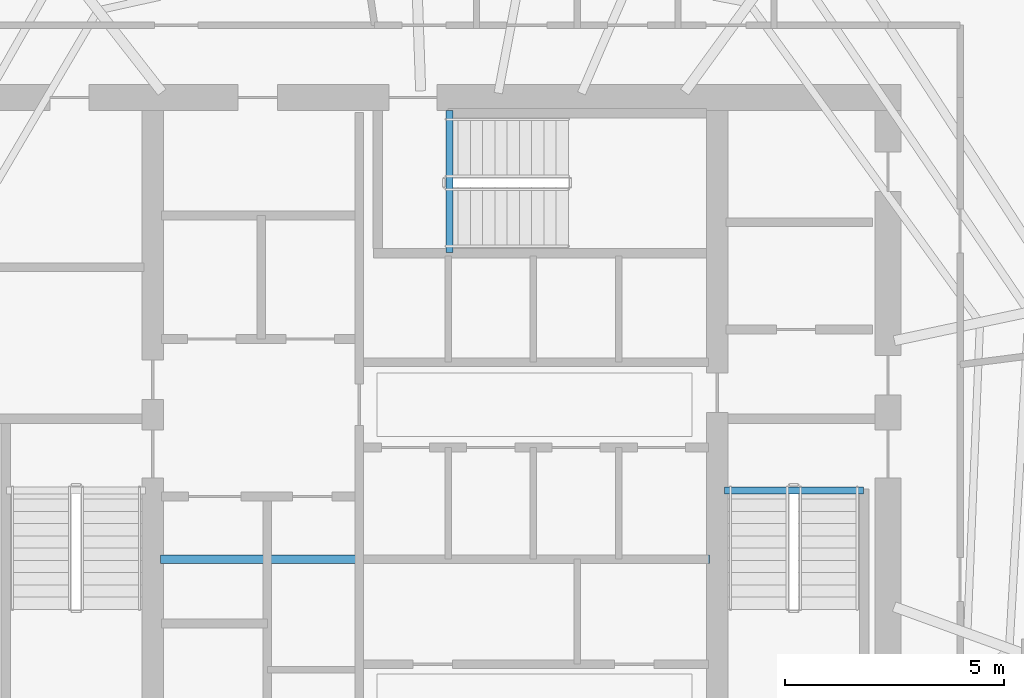
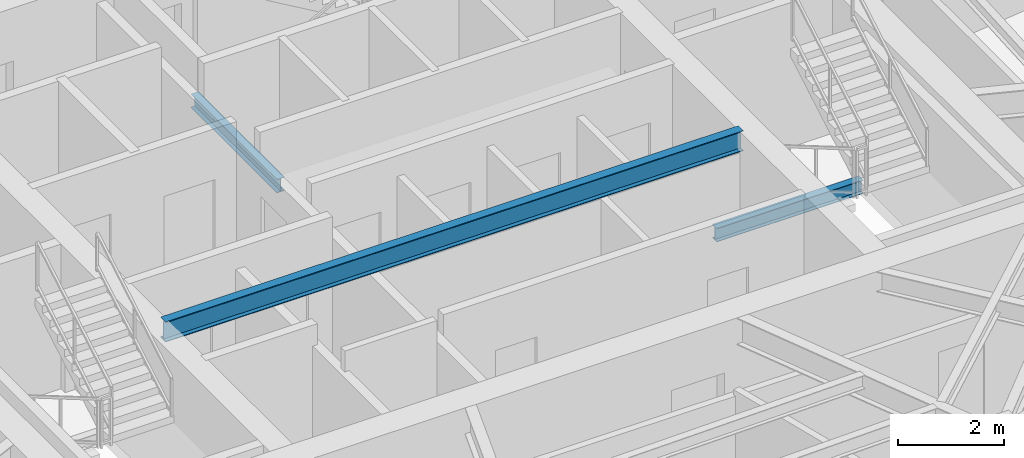
# One storey, part 8 of 22: 3 beams.
"""IFC4 building model written with IfcOpenShell, lengths in metres."""

import ifcopenshell
import ifcopenshell.guid

model = None  # the IFC model being written
_history = None  # IfcOwnerHistory: only IFC2X3 demands one
_inside = {}  # id of a spatial element -> (the spatial element, [elements in it])
_under = {}  # id of a project, library or spatial element -> (it, [spatial elements below it])
_declared = {}  # id of a project -> (the project, [libraries it declares])
_typed = {}  # id of a type object -> (the type object, [elements of that type])
_made_of = {}  # id of a material, layer set ... -> (it, [elements and type objects made of it])


def new_model(schema):
    """Start an empty IFC model of exactly this schema.

    Asked for "IFC4X3", IfcOpenShell would pick the latest addendum, in which some entities
    have other attributes; the version numbers below select the first issue.
    IFC2X3 requires an IfcOwnerHistory on every rooted entity: one is made here for all.
    """
    global model, _history
    if schema == "IFC4X3":
        model = ifcopenshell.file(schema_version=(4, 3, 0, 0))
    else:
        model = ifcopenshell.file(schema=schema)
    _inside.clear()
    _under.clear()
    _declared.clear()
    _typed.clear()
    _made_of.clear()
    _history = None
    if model.schema == "IFC2X3":
        org = make("IfcOrganization", Name="unknown")
        user = make(
            "IfcPersonAndOrganization",
            ThePerson=make("IfcPerson", FamilyName="unknown"),
            TheOrganization=org,
        )
        app = make(
            "IfcApplication",
            ApplicationDeveloper=org,
            Version="unknown",
            ApplicationFullName="unknown",
            ApplicationIdentifier="unknown",
        )
        _history = make(
            "IfcOwnerHistory",
            OwningUser=user,
            OwningApplication=app,
            ChangeAction="ADDED",
            CreationDate=0,
        )
    return model


def make(cls, **values):
    """One entity of the class cls with the attributes given. An attribute that is None is left unset."""
    return model.create_entity(
        cls, **{name: value for name, value in values.items() if value is not None}
    )


def rooted(cls, **values):
    """An entity with a GlobalId (a new one), such as an element, a storey or a relation."""
    return make(cls, GlobalId=ifcopenshell.guid.new(), OwnerHistory=_history, **values)


def si_unit(unit_type, name, prefix=None):
    """IfcSIUnit, for example si_unit("LENGTHUNIT", "METRE", prefix="MILLI")."""
    return make("IfcSIUnit", UnitType=unit_type, Prefix=prefix, Name=name)


def assignment(units):
    """IfcUnitAssignment: the units of a project."""
    return None if units is None else make("IfcUnitAssignment", Units=units)


def point(xyz):
    """IfcCartesianPoint."""
    return None if xyz is None else make("IfcCartesianPoint", Coordinates=xyz)


def direction(xyz):
    """IfcDirection."""
    return None if xyz is None else make("IfcDirection", DirectionRatios=xyz)


def frame(location, z_axis=None, x_axis=None):
    """IfcAxis2Placement3D, a coordinate frame: its origin and axes. An axis left out is left unset."""
    return make(
        "IfcAxis2Placement3D",
        Location=point(location),
        Axis=direction(z_axis),
        RefDirection=direction(x_axis),
    )


def frame_2d(location, x_axis=None):
    """IfcAxis2Placement2D, a coordinate frame in the plane: its origin and x axis."""
    return make(
        "IfcAxis2Placement2D", Location=point(location), RefDirection=direction(x_axis)
    )


def origin():
    """The frame at (0, 0, 0) with its axes left unset."""
    return frame((0.0, 0.0, 0.0))


def origin_2d():
    """The frame at (0, 0) in the plane with its x axis left unset."""
    return frame_2d((0.0, 0.0))


def place(relative_to, where):
    """IfcLocalPlacement: puts the frame where relative to a parent placement (None: the world)."""
    return make(
        "IfcLocalPlacement", PlacementRelTo=relative_to, RelativePlacement=where
    )


def context(
    kind, dimensions, precision=None, world=None, true_north=None, identifier=None
):
    """IfcGeometricRepresentationContext, for example the 3D "Model" context."""
    return make(
        "IfcGeometricRepresentationContext",
        ContextIdentifier=identifier,
        ContextType=kind,
        CoordinateSpaceDimension=dimensions,
        Precision=precision,
        WorldCoordinateSystem=world,
        TrueNorth=true_north,
    )


def subcontext(parent, identifier, kind, view, scale=None):
    """IfcGeometricRepresentationSubContext, for example "Body" below "Model"."""
    return make(
        "IfcGeometricRepresentationSubContext",
        ContextIdentifier=identifier,
        ContextType=kind,
        ParentContext=parent,
        TargetScale=scale,
        TargetView=view,
    )


def project(units=None, contexts=None):
    """IfcProject with its units and contexts."""
    return rooted(
        "IfcProject",
        Name="project",
        RepresentationContexts=contexts,
        UnitsInContext=assignment(units),
    )


def spatial(cls, under=None, at=None, **own):
    """A site, building, storey or space (cls), placed at a placement, below another one or the project."""
    s = rooted(cls, ObjectPlacement=at, **own)
    if under is not None:
        _under.setdefault(under.id(), (under, []))[1].append(s)
    return s


def profile(cls, at=None, kind="AREA", **sizes):
    """A parametric profile (cls). Its sizes go by their IFC names, for example OverallWidth=200.0."""
    return make(cls, ProfileType=kind, Position=at, **sizes)


def i_section(**sizes):
    """IfcIShapeProfileDef."""
    return profile("IfcIShapeProfileDef", **sizes)


def extrude(swept, where, along, depth):
    """IfcExtrudedAreaSolid: the profile swept, set in the frame where, extruded along a direction by depth."""
    return make(
        "IfcExtrudedAreaSolid",
        SweptArea=swept,
        Position=where,
        ExtrudedDirection=direction(along),
        Depth=depth,
    )


def shape(context_of_items, identifier, shape_type, items):
    """IfcShapeRepresentation: the items that make up one representation, for example the "Body"."""
    return make(
        "IfcShapeRepresentation",
        ContextOfItems=context_of_items,
        RepresentationIdentifier=identifier,
        RepresentationType=shape_type,
        Items=items,
    )


def material(Name=None, Category=None):
    """IfcMaterial."""
    return make("IfcMaterial", Name=Name, Category=Category)


def material_profile(
    of_material, cross_section, Name=None, Category=None, Priority=None
):
    """IfcMaterialProfile: a cross section and its material."""
    return make(
        "IfcMaterialProfile",
        Name=Name,
        Material=of_material,
        Profile=cross_section,
        Priority=Priority,
        Category=Category,
    )


def profile_set(profiles, Name=None, composite=None):
    """IfcMaterialProfileSet."""
    return make(
        "IfcMaterialProfileSet",
        Name=Name,
        MaterialProfiles=profiles,
        CompositeProfile=composite,
    )


def made_of(thing, what):
    """Note that an element or type object is made of a material, layer set ...; save() writes the relation."""
    if what is not None:
        _made_of.setdefault(what.id(), (what, []))[1].append(thing)
    return thing


def type_object(cls, material=None, **own):
    """A type object (cls), such as IfcWallType, which elements share."""
    return made_of(rooted(cls, **own), material)


def element(
    cls,
    number,
    at=None,
    inside=None,
    cuts=None,
    type_object=None,
    material=None,
    context=None,
    identifier="Body",
    shape_type=None,
    held_by="IfcProductDefinitionShape",
    body=None,
    shapes=None,
    **own,
):
    """One element of the class cls, such as IfcWall. Its Tag is "e" and its number.

    at: its placement. inside: the storey or other place that contains it. cuts: it is an
    opening in that element (IfcRelVoidsElement). A single representation is given by context,
    identifier, shape_type and body (its items); several are given by shapes. held_by: the class
    of the entity that holds the representations. save() writes the other relations.
    """
    e = rooted(cls, Tag="e%d" % number, ObjectPlacement=at, **own)
    if body is not None:
        shapes = [shape(context, identifier, shape_type, body)]
    if shapes is not None:
        e.Representation = make(held_by, Representations=shapes)
    if inside is not None:
        _inside.setdefault(inside.id(), (inside, []))[1].append(e)
    if cuts is not None:
        rooted(
            "IfcRelVoidsElement", RelatingBuildingElement=cuts, RelatedOpeningElement=e
        )
    if type_object is not None:
        _typed.setdefault(type_object.id(), (type_object, []))[1].append(e)
    return made_of(e, material)


def aggregate(whole, parts):
    """IfcRelAggregates: a whole, such as a stair, and the parts it consists of."""
    return rooted("IfcRelAggregates", RelatingObject=whole, RelatedObjects=parts)


def save(model, path):
    """Write the relations noted so far, then the file.

    IfcRelAggregates (storeys below a building ...), IfcRelContainedInSpatialStructure (elements
    in a storey), IfcRelDefinesByType, IfcRelAssociatesMaterial and IfcRelDeclares: one each for
    every whole, place, type object, material and project.
    """
    for whole, parts in _under.values():
        aggregate(whole, parts)
    for where, things in _inside.values():
        rooted(
            "IfcRelContainedInSpatialStructure",
            RelatedElements=things,
            RelatingStructure=where,
        )
    for kind, things in _typed.values():
        rooted("IfcRelDefinesByType", RelatedObjects=things, RelatingType=kind)
    for what, things in _made_of.values():
        rooted("IfcRelAssociatesMaterial", RelatedObjects=things, RelatingMaterial=what)
    for by, libraries in _declared.values():
        rooted("IfcRelDeclares", RelatingContext=by, RelatedDefinitions=libraries)
    model.write(path)


model = new_model("IFC4")

# Units and contexts
model_context = context("Model", 3, precision=1e-05, world=origin(), true_north=direction((0.0, 1.0)))
body_context = subcontext(model_context, "Body", "Model", "MODEL_VIEW")
ifc_project = project(units=[si_unit("LENGTHUNIT", "METRE"), si_unit("AREAUNIT", "SQUARE_METRE"), si_unit("VOLUMEUNIT", "CUBIC_METRE"), si_unit("PLANEANGLEUNIT", "RADIAN"), si_unit("MASSUNIT", "GRAM", prefix="KILO")], contexts=[model_context])

# Site, building, storey
site_placement = place(None, origin())
site = spatial("IfcSite", under=ifc_project, at=site_placement, CompositionType="ELEMENT")
building_placement = place(site_placement, origin())
building = spatial("IfcBuilding", under=site, at=building_placement, Name="Qarnah Convention Tower", CompositionType="ELEMENT")
storey_placement = place(building_placement, frame((0.0, 0.0, 154.5)))
storey = spatial("IfcBuildingStorey", under=building, at=storey_placement, Name="L41", CompositionType="ELEMENT", Elevation=154.5)

# Beams
ifc_material = material(Name="Structural steel S355JR", Category="steel")
ifc_material_profile_1 = material_profile(ifc_material, i_section(OverallWidth=0.19189453125, OverallDepth=0.464111328125, WebThickness=0.010986328125, FlangeThickness=0.01806640625, at=origin_2d()), Name="W460X89")
ifc_profile_set_1 = profile_set([ifc_material_profile_1], Name="Structural steel S355JR")
beam_type_1 = type_object("IfcBeamType", Name="BM-CANT-W460A", PredefinedType="BEAM", material=ifc_profile_set_1)
beam_1_placement = place(storey_placement, frame((30.97998046875, 23.64990234375, 3.087890625), z_axis=(1.0, 0.0, 0.0), x_axis=(0.0, 1.0, 0.0)))
element("IfcBeam", 1, at=beam_1_placement, inside=storey, type_object=beam_type_1, Name="L41 beam BM-L41-KC1", PredefinedType="BEAM", context=body_context, shape_type="SweptSolid", body=[
    extrude(i_section(OverallWidth=0.19189453125, OverallDepth=0.464111328125, WebThickness=0.010986328125, FlangeThickness=0.01806640625, at=origin_2d()), origin(), (0.0, 0.0, 1.0), 12.5400390625),
])
ifc_material_profile_2 = material_profile(ifc_material, i_section(OverallWidth=0.166015625, OverallDepth=0.31201171875, WebThickness=0.007080078125, FlangeThickness=0.010986328125, at=origin_2d()), Name="W310X45")
ifc_profile_set_2 = profile_set([ifc_material_profile_2], Name="Structural steel S355JR")
beam_type_2 = type_object("IfcBeamType", Name="BM-JST-W310", PredefinedType="JOIST", material=ifc_profile_set_2)
beam_2_placement = place(storey_placement, frame((43.860107421875, 25.217041015625, -0.156005859375), z_axis=(1.0, 0.0, 0.0), x_axis=(0.0, 1.0, 0.0)))
element("IfcBeam", 2, at=beam_2_placement, inside=storey, type_object=beam_type_2, Name="L41 stair landing trimmer beam BM-L41-ST2-TRM", PredefinedType="BEAM", context=body_context, shape_type="SweptSolid", body=[
    extrude(i_section(OverallWidth=0.166015625, OverallDepth=0.31201171875, WebThickness=0.007080078125, FlangeThickness=0.010986328125, at=origin_2d()), origin(), (0.0, 0.0, 1.0), 3.179931640625),
])
beam_3_placement = place(storey_placement, frame((37.5830078125, 30.659912109375, -0.156005859375), z_axis=(0.0, 1.0, 0.0), x_axis=(-1.0, 0.0, 0.0)))
element("IfcBeam", 3, at=beam_3_placement, inside=storey, type_object=beam_type_2, Name="L41 stair landing trimmer beam BM-L41-ST3-TRM", PredefinedType="BEAM", context=body_context, shape_type="SweptSolid", body=[
    extrude(i_section(OverallWidth=0.166015625, OverallDepth=0.31201171875, WebThickness=0.007080078125, FlangeThickness=0.010986328125, at=origin_2d()), origin(), (0.0, 0.0, 1.0), 3.239990234375),
])

save(model, "model.ifc")
